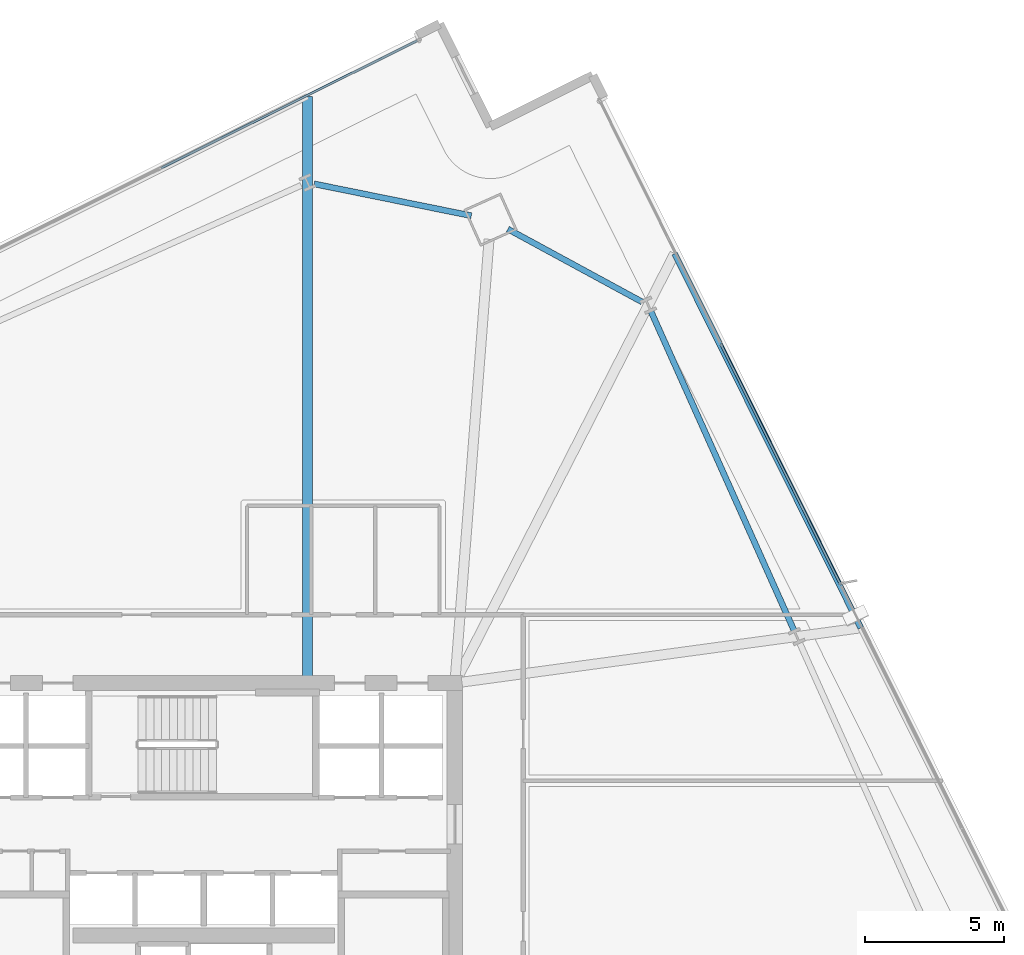
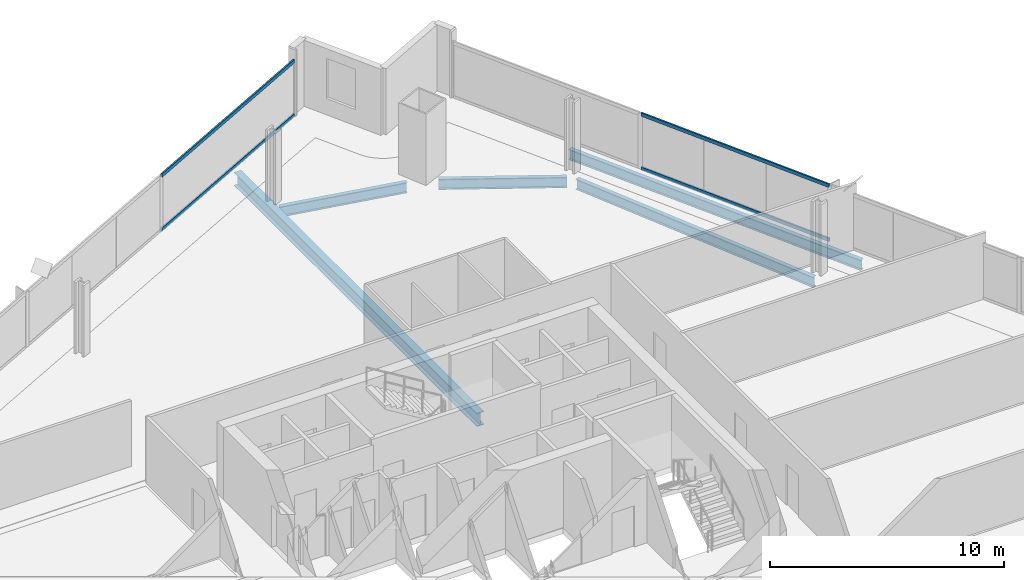
# One storey, part 21 of 35: 5 beams, 4 members, 2 elements without a shape of their own.
"""IFC4 building model written with IfcOpenShell, lengths in metres."""

from ifc_helpers import new_model, si_unit, direction, frame, origin, origin_2d, place, context, subcontext, project, spatial, hollow_rectangle, i_section, extrude, material, material_profile, profile_set, type_object, element, aggregate, save


model = new_model("IFC4")

# Units and contexts
model_context = context("Model", 3, precision=1e-05, world=origin(), true_north=direction((0.0, 1.0)))
body_context = subcontext(model_context, "Body", "Model", "MODEL_VIEW")
ifc_project = project(units=[si_unit("LENGTHUNIT", "METRE"), si_unit("AREAUNIT", "SQUARE_METRE"), si_unit("VOLUMEUNIT", "CUBIC_METRE"), si_unit("PLANEANGLEUNIT", "RADIAN"), si_unit("MASSUNIT", "GRAM", prefix="KILO")], contexts=[model_context])

# Site, building, storey
site_placement = place(None, origin())
site = spatial("IfcSite", under=ifc_project, at=site_placement, CompositionType="ELEMENT")
building_placement = place(site_placement, origin())
building = spatial("IfcBuilding", under=site, at=building_placement, Name="Haldenkirk Collegiate Tower", CompositionType="ELEMENT")
storey_placement = place(building_placement, frame((0.0, 0.0, 116.699951171875)))
storey = spatial("IfcBuildingStorey", under=building, at=storey_placement, Name="L28", CompositionType="ELEMENT", Elevation=116.699951171875)

# Beams
ifc_material_1 = material(Name="Steel ASTM A992 Grade 50", Category="steel")
ifc_material_profile_1 = material_profile(ifc_material_1, i_section(OverallWidth=0.35498046875, OverallDepth=0.696044921875, WebThickness=0.015380859375, FlangeThickness=0.02490234375, at=origin_2d()), Name="W27X146")
ifc_profile_set_1 = profile_set([ifc_material_profile_1], Name="Steel ASTM A992 Grade 50")
beam_type_1 = type_object("IfcBeamType", Name="BM-GIRDER-W27X146", PredefinedType="BEAM", material=ifc_profile_set_1)
beam_1_placement = place(storey_placement, frame((39.71630859375, 55.023193359375, -0.64794921875), z_axis=(0.0, -1.0, 0.0), x_axis=(1.0, 0.0, 0.0)))
element("IfcBeam", 1, at=beam_1_placement, inside=storey, type_object=beam_type_1, Name="L28 primary floor girder 11", PredefinedType="BEAM", context=body_context, shape_type="SweptSolid", body=[
    extrude(i_section(OverallWidth=0.35498046875, OverallDepth=0.696044921875, WebThickness=0.015380859375, FlangeThickness=0.02490234375, at=origin_2d()), origin(), (0.0, 0.0, 1.0), 20.768310546875),
])
ifc_material_profile_2 = material_profile(ifc_material_1, i_section(OverallWidth=0.2119140625, OverallDepth=0.5439453125, WebThickness=0.01318359375, FlangeThickness=0.021240234375, at=origin_2d()), Name="W21X83")
ifc_profile_set_2 = profile_set([ifc_material_profile_2], Name="Steel ASTM A992 Grade 50")
beam_type_2 = type_object("IfcBeamType", Name="BM-SPANDREL-W21X83", PredefinedType="SPANDREL", material=ifc_profile_set_2)
beam_2_placement = place(storey_placement, frame((57.15478515625, 35.89111328125, -0.572021484375), z_axis=(-0.409131464477, 0.912475448861, 0.0), x_axis=(-0.912475448861, -0.409131464477, 0.0)))
element("IfcBeam", 2, at=beam_2_placement, inside=storey, type_object=beam_type_2, Name="L28 perimeter spandrel beam 07", PredefinedType="SPANDREL", context=body_context, shape_type="SweptSolid", body=[
    extrude(i_section(OverallWidth=0.2119140625, OverallDepth=0.5439453125, WebThickness=0.01318359375, FlangeThickness=0.021240234375, at=origin_2d()), origin(), (0.0, 0.0, 1.0), 12.524169921875),
])
beam_3_placement = place(storey_placement, frame((51.714599609375, 47.66015625, -0.572021484375), z_axis=(-0.878835810931, 0.477124320723, 0.0), x_axis=(-0.477124320723, -0.878835810931, 0.0)))
element("IfcBeam", 3, at=beam_3_placement, inside=storey, type_object=beam_type_2, Name="L28 perimeter spandrel beam 08", PredefinedType="SPANDREL", context=body_context, shape_type="SweptSolid", body=[
    extrude(i_section(OverallWidth=0.2119140625, OverallDepth=0.5439453125, WebThickness=0.01318359375, FlangeThickness=0.021240234375, at=origin_2d()), origin(), (0.0, 0.0, 1.0), 5.477783203125),
])
beam_4_placement = place(storey_placement, frame((45.590087890625, 50.750244140625, -0.572021484375), z_axis=(-0.980069318183, 0.198655811786, 0.0), x_axis=(-0.198655811786, -0.980069318183, 0.0)))
element("IfcBeam", 4, at=beam_4_placement, inside=storey, type_object=beam_type_2, Name="L28 perimeter spandrel beam 09", PredefinedType="SPANDREL", context=body_context, shape_type="SweptSolid", body=[
    extrude(i_section(OverallWidth=0.2119140625, OverallDepth=0.5439453125, WebThickness=0.01318359375, FlangeThickness=0.021240234375, at=origin_2d()), origin(), (0.0, 0.0, 1.0), 5.747802734375),
])
beam_5_placement = place(storey_placement, frame((59.550048828125, 35.9794921875, -0.572021484375), z_axis=(-0.445420131066, 0.895321677857, 0.0), x_axis=(-0.895321677857, -0.445420131066, 0.0)))
element("IfcBeam", 5, at=beam_5_placement, inside=storey, type_object=beam_type_2, Name="L28 outer facade edge beam 2B", PredefinedType="SPANDREL", context=body_context, shape_type="SweptSolid", body=[
    extrude(i_section(OverallWidth=0.2119140625, OverallDepth=0.5439453125, WebThickness=0.01318359375, FlangeThickness=0.021240234375, at=origin_2d()), origin(), (0.0, 0.0, 1.0), 14.981689453125),
])

# Curtain wall, members
ifc_material_2 = material(Name="Anodised architectural bronze aluminium", Category="aluminium")
curtain_wall_type = type_object("IfcCurtainWallType", Name="CW-SYS1-CONVEX-LOW", PredefinedType="USERDEFINED", material=ifc_material_2)
curtain_wall_1_placement = place(storey_placement, origin())
curtain_wall_1 = element("IfcCurtainWall", 6, at=curtain_wall_1_placement, inside=storey, type_object=curtain_wall_type, Name="L28 Lower tower convex bronze-framed unitised curtain wall", ObjectType="UNITISED CURTAIN WALL", PredefinedType="USERDEFINED")
ifc_material_profile_3 = material_profile(ifc_material_2, hollow_rectangle(XDim=0.080078125, YDim=0.179931640625, WallThickness=0.0048828125, at=origin_2d()), Name="CW-TRN-1A")
ifc_profile_set_3 = profile_set([ifc_material_profile_3], Name="Anodised architectural bronze aluminium")
member_type = type_object("IfcMemberType", Name="CW-TRN-1A", PredefinedType="USERDEFINED", material=ifc_profile_set_3)
member_1_placement = place(storey_placement, frame((54.5322265625, 46.155517578125, 0.0400390625), z_axis=(0.445419367549, -0.895322057705, 0.0), x_axis=(0.895322057705, 0.445419367549, 0.0)))
member_1 = element("IfcMember", 7, at=member_1_placement, type_object=member_type, Name="CW-1A transom 2.1", ObjectType="TRANSOM", PredefinedType="USERDEFINED", context=body_context, shape_type="SweptSolid", body=[
    extrude(hollow_rectangle(XDim=0.080078125, YDim=0.179931640625, WallThickness=0.0048828125, at=origin_2d()), origin(), (0.0, 0.0, 1.0), 9.638671875),
])
member_2_placement = place(storey_placement, frame((54.5322265625, 46.155517578125, 2.861083984375), z_axis=(0.445419367549, -0.895322057705, 0.0), x_axis=(0.895322057705, 0.445419367549, 0.0)))
member_2 = element("IfcMember", 8, at=member_2_placement, type_object=member_type, Name="CW-1A transom 2.2", ObjectType="TRANSOM", PredefinedType="USERDEFINED", context=body_context, shape_type="SweptSolid", body=[
    extrude(hollow_rectangle(XDim=0.080078125, YDim=0.179931640625, WallThickness=0.0048828125, at=origin_2d()), origin(), (0.0, 0.0, 1.0), 9.638671875),
])
aggregate(curtain_wall_1, [member_1, member_2])

curtain_wall_2_placement = place(storey_placement, origin())
curtain_wall_2 = element("IfcCurtainWall", 9, at=curtain_wall_2_placement, inside=storey, type_object=curtain_wall_type, Name="L28 Lower tower convex bronze-framed unitised curtain wall", ObjectType="UNITISED CURTAIN WALL", PredefinedType="USERDEFINED")
member_3_placement = place(storey_placement, frame((34.469970703125, 52.4580078125, 0.0400390625), z_axis=(0.895320529407, 0.445422439513, 0.0), x_axis=(-0.445422439513, 0.895320529407, 0.0)))
member_3 = element("IfcMember", 10, at=member_3_placement, type_object=member_type, Name="CW-1A transom 4.1", ObjectType="TRANSOM", PredefinedType="USERDEFINED", context=body_context, shape_type="SweptSolid", body=[
    extrude(hollow_rectangle(XDim=0.080078125, YDim=0.179931640625, WallThickness=0.0048828125, at=origin_2d()), origin(), (0.0, 0.0, 1.0), 10.255126953125),
])
member_4_placement = place(storey_placement, frame((34.469970703125, 52.4580078125, 2.861083984375), z_axis=(0.895320529407, 0.445422439513, 0.0), x_axis=(-0.445422439513, 0.895320529407, 0.0)))
member_4 = element("IfcMember", 11, at=member_4_placement, type_object=member_type, Name="CW-1A transom 4.2", ObjectType="TRANSOM", PredefinedType="USERDEFINED", context=body_context, shape_type="SweptSolid", body=[
    extrude(hollow_rectangle(XDim=0.080078125, YDim=0.179931640625, WallThickness=0.0048828125, at=origin_2d()), origin(), (0.0, 0.0, 1.0), 10.255126953125),
])
aggregate(curtain_wall_2, [member_3, member_4])

save(model, "model.ifc")
